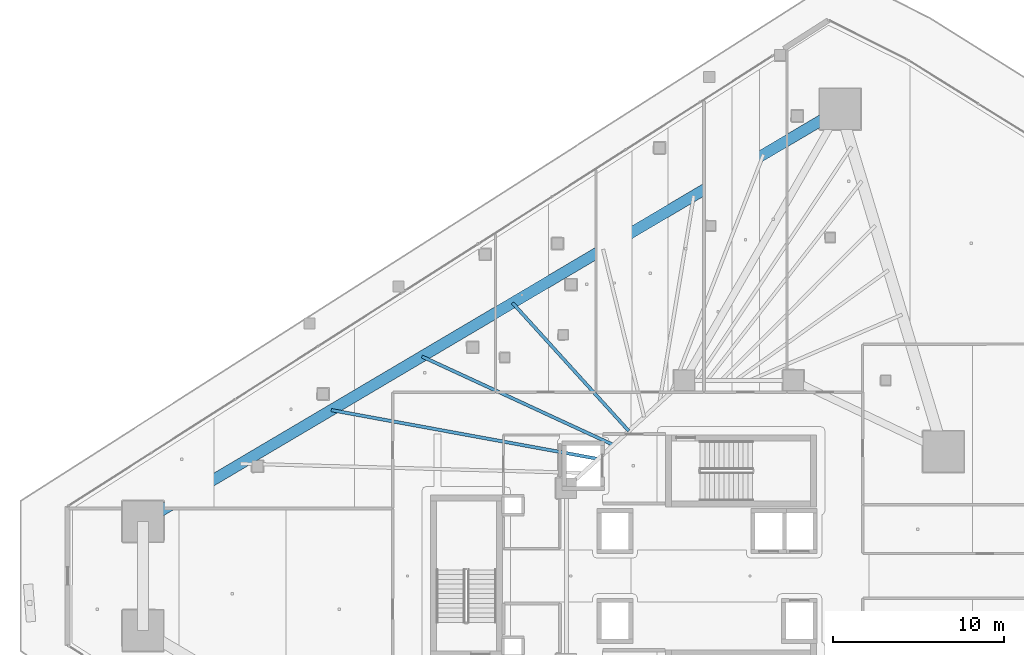
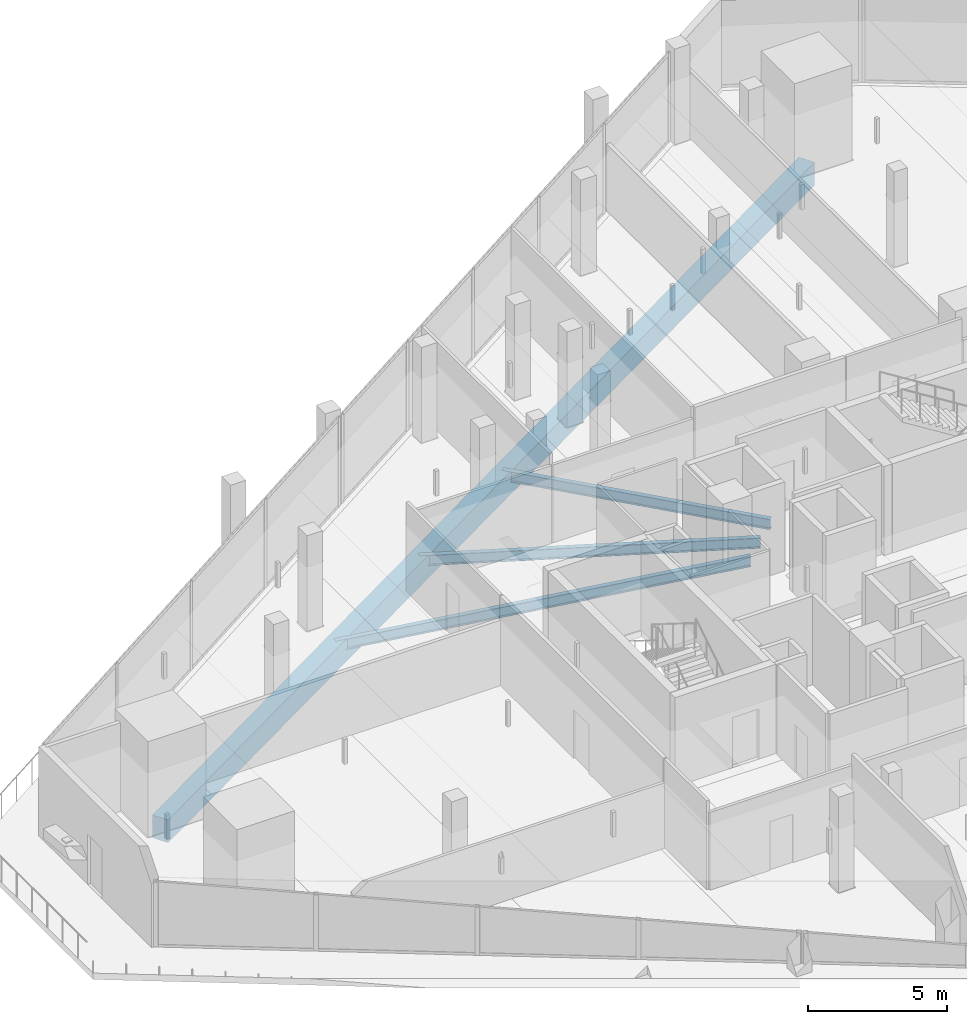
# One storey, part 16 of 44: 4 beams.
"""IFC4 building model written with IfcOpenShell, lengths in metres."""

from ifc_helpers import new_model, si_unit, direction, frame, origin, origin_2d, place, context, subcontext, project, spatial, rectangle, i_section, extrude, material, material_profile, profile_set, type_object, element, save


model = new_model("IFC4")

# Units and contexts
model_context = context("Model", 3, precision=1e-05, world=origin(), true_north=direction((0.0, 1.0)))
body_context = subcontext(model_context, "Body", "Model", "MODEL_VIEW")
ifc_project = project(units=[si_unit("LENGTHUNIT", "METRE"), si_unit("AREAUNIT", "SQUARE_METRE"), si_unit("VOLUMEUNIT", "CUBIC_METRE"), si_unit("PLANEANGLEUNIT", "RADIAN"), si_unit("MASSUNIT", "GRAM", prefix="KILO")], contexts=[model_context])

# Site, building, storey
site_placement = place(None, origin())
site = spatial("IfcSite", under=ifc_project, at=site_placement, CompositionType="ELEMENT")
building_placement = place(site_placement, origin())
building = spatial("IfcBuilding", under=site, at=building_placement, Name="Qorvath Tower", CompositionType="ELEMENT")
storey_placement = place(building_placement, frame((0.0, 0.0, 70.199951171875)))
storey = spatial("IfcBuildingStorey", under=building, at=storey_placement, Name="L15", CompositionType="ELEMENT", Elevation=70.199951171875)

# Beams
ifc_material_1 = material(Name="Steel ASTM A992 Grade 50", Category="steel")
ifc_material_profile_1 = material_profile(ifc_material_1, i_section(OverallWidth=0.18994140625, OverallDepth=0.45703125, WebThickness=0.009033203125, FlangeThickness=0.014404296875, FilletRadius=0.011962890625, at=origin_2d()), Name="W18x50")
ifc_profile_set_1 = profile_set([ifc_material_profile_1], Name="Steel ASTM A992 Grade 50")
beam_type_1 = type_object("IfcBeamType", Name="BM-FJ2", PredefinedType="JOIST", material=ifc_profile_set_1)
beam_1_placement = place(storey_placement, frame((-28.636962890625, 6.85107421875, -0.508544921875), z_axis=(-0.983656498786, 0.180055248176, 0.0), x_axis=(-0.180055248176, -0.983656498786, 0.0)))
element("IfcBeam", 1, at=beam_1_placement, inside=storey, type_object=beam_type_1, Name="Composite Floor Joist NW2 L15", PredefinedType="JOIST", context=body_context, shape_type="SweptSolid", body=[
    extrude(i_section(OverallWidth=0.18994140625, OverallDepth=0.45703125, WebThickness=0.009033203125, FlangeThickness=0.014404296875, FilletRadius=0.011962890625, at=origin_2d()), origin(), (0.0, 0.0, 1.0), 15.884521484375),
])
beam_2_placement = place(storey_placement, frame((-27.739990234375, 7.669921875, -0.508544921875), z_axis=(-0.907881281747, 0.419227358665, 0.0), x_axis=(-0.419227358665, -0.907881281747, 0.0)))
element("IfcBeam", 2, at=beam_2_placement, inside=storey, type_object=beam_type_1, Name="Composite Floor Joist NW3 L15", PredefinedType="JOIST", context=body_context, shape_type="SweptSolid", body=[
    extrude(i_section(OverallWidth=0.18994140625, OverallDepth=0.45703125, WebThickness=0.009033203125, FlangeThickness=0.014404296875, FilletRadius=0.011962890625, at=origin_2d()), origin(), (0.0, 0.0, 1.0), 12.353515625),
])
beam_3_placement = place(storey_placement, frame((-26.843017578125, 8.489013671875, -0.508544921875), z_axis=(-0.672128980215, 0.740434084815, 0.0), x_axis=(-0.740434084815, -0.672128980215, 0.0)))
element("IfcBeam", 3, at=beam_3_placement, inside=storey, type_object=beam_type_1, Name="Composite Floor Joist NW4 L15", PredefinedType="JOIST", context=body_context, shape_type="SweptSolid", body=[
    extrude(i_section(OverallWidth=0.18994140625, OverallDepth=0.45703125, WebThickness=0.009033203125, FlangeThickness=0.014404296875, FilletRadius=0.011962890625, at=origin_2d()), origin(), (0.0, 0.0, 1.0), 10.1259765625),
])
ifc_material_2 = material(Name="Concrete C50/60", Category="concrete")
ifc_material_profile_2 = material_profile(ifc_material_2, rectangle(XDim=0.64990234375, YDim=1.0, at=origin_2d()), Name="RCB 1000x650")
ifc_profile_set_2 = profile_set([ifc_material_profile_2], Name="Concrete C50/60")
beam_type_2 = type_object("IfcBeamType", Name="BM-RCB1", PredefinedType="SPANDREL", material=ifc_profile_set_2)
beam_4_placement = place(storey_placement, frame((-14.46435546875, 27.330810546875, -0.780029296875), z_axis=(-0.860777360917, -0.508981664633, 0.0), x_axis=(0.508981664633, -0.860777360917, 0.0)))
element("IfcBeam", 4, at=beam_4_placement, inside=storey, type_object=beam_type_2, Name="Perimeter Loggia Frame Beam MC6-MC1 L15", PredefinedType="SPANDREL", context=body_context, shape_type="SweptSolid", body=[
    extrude(rectangle(XDim=0.64990234375, YDim=1.0, at=origin_2d()), origin(), (0.0, 0.0, 1.0), 47.420654296875),
])

save(model, "model.ifc")
